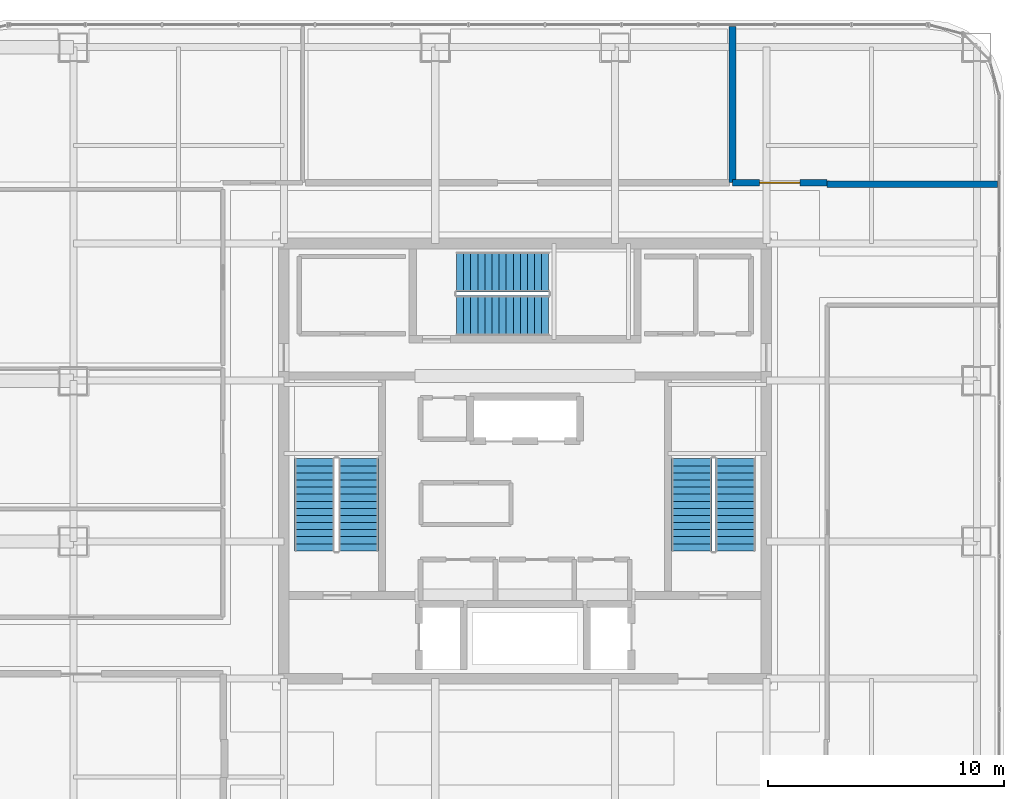
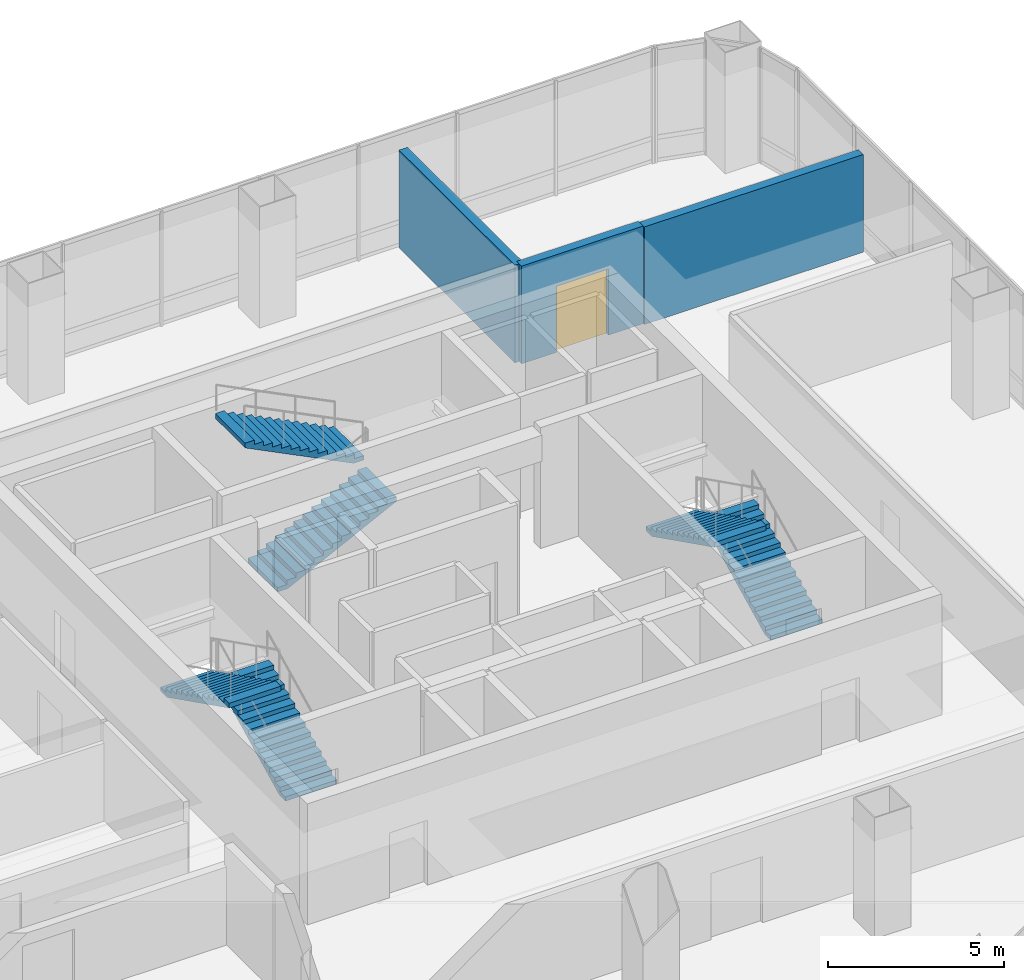
# One storey, part 37 of 42: 6 stair flights, 3 walls, 1 door, 1 opening, 3 elements without a shape of their own.
"""IFC4 building model written with IfcOpenShell, lengths in metres."""

from ifc_helpers import new_model, si_unit, direction, frame, frame_2d, origin, place, context, subcontext, project, spatial, polyline, rectangle, outline, extrude, material, layer, layer_set, type_object, element, fill, aggregate, save


model = new_model("IFC4")

# Units and contexts
model_context = context("Model", 3, precision=1e-05, world=origin(), true_north=direction((0.0, 1.0)))
body_context = subcontext(model_context, "Body", "Model", "MODEL_VIEW")
ifc_project = project(units=[si_unit("LENGTHUNIT", "METRE"), si_unit("AREAUNIT", "SQUARE_METRE"), si_unit("VOLUMEUNIT", "CUBIC_METRE"), si_unit("PLANEANGLEUNIT", "RADIAN"), si_unit("MASSUNIT", "GRAM", prefix="KILO")], contexts=[model_context])

# Site, building, storey
site_placement = place(None, origin())
site = spatial("IfcSite", under=ifc_project, at=site_placement, CompositionType="ELEMENT")
building_placement = place(site_placement, origin())
building = spatial("IfcBuilding", under=site, at=building_placement, Name="Punatoya Terracotta Tower", CompositionType="ELEMENT")
storey_placement = place(building_placement, frame((0.0, 0.0, 325.800048828125)))
storey = spatial("IfcBuildingStorey", under=building, at=storey_placement, Name="L77", CompositionType="ELEMENT", Elevation=325.800048828125)

# Wall
ifc_material_1 = material(Name="Concrete C40/50", Category="concrete")
ifc_layer = layer(ifc_material_1, 0.280029296875)
ifc_layer_set = layer_set([ifc_layer], Name="Concrete C40/50")
wall_type = type_object("IfcWallType", Name="WL-AUD-280", PredefinedType="SOLIDWALL", material=ifc_layer_set)
wall_1_placement = place(storey_placement, frame((19.969970703125, 11.7099609375, 0.0), z_axis=(0.0, 0.0, 1.0), x_axis=(-1.0, 0.0, 0.0)))
element("IfcWall", 1, at=wall_1_placement, inside=storey, type_object=wall_type, Name="L77 Open-Plan Waterfront Club Lounge Partition 44", PredefinedType="SOLIDWALL", context=body_context, shape_type="SweptSolid", body=[
    extrude(rectangle(XDim=7.199951171875, YDim=0.280029296875, at=frame_2d((3.60009765625, 0.0))), origin(), (0.0, 0.0, 1.0), 3.39404296875),
])

# Wall, opening, door
wall_2_placement = place(storey_placement, frame((12.77001953125, 11.77001953125, 0.0), z_axis=(0.0, 0.0, 1.0), x_axis=(-1.0, 0.0, 0.0)))
wall_2 = element("IfcWall", 2, at=wall_2_placement, inside=storey, type_object=wall_type, Name="L77 Open-Plan Waterfront Club Lounge Partition 45", PredefinedType="SOLIDWALL", context=body_context, shape_type="SweptSolid", body=[
    extrude(rectangle(XDim=3.998046875, YDim=0.280029296875, at=frame_2d((1.9990234375, 0.0))), origin(), (0.0, 0.0, 1.0), 3.39404296875),
])
opening_placement = place(wall_2_placement, frame((1.14892578125, 0.0, 0.0)))
opening = element("IfcOpeningElement", 3, at=opening_placement, cuts=wall_2, Name="Opening FD-D1", PredefinedType="OPENING", context=body_context, shape_type="SweptSolid", body=[
    extrude(rectangle(XDim=1.699951171875, YDim=2.300048828125, at=frame_2d((0.85009765625, 1.14990234375))), frame((0.0, 0.14990234375, 0.0), z_axis=(0.0, -1.0, 0.0), x_axis=(1.0, 0.0, 0.0)), (0.0, 0.0, 1.0), 0.300048828125),
])
ifc_material_2 = material(Name="Timber Teak Veneer Fire Leaf", Category="wood")
door_type = type_object("IfcDoorType", Name="DR-DIN-1700", OperationType="NOTDEFINED", PredefinedType="DOOR", material=ifc_material_2)
door_placement = place(opening_placement, origin())
door = element("IfcDoor", 4, at=door_placement, inside=storey, type_object=door_type, Name="L77 Open-Plan Waterfront Club Lounge Fire Door", OperationType="DOUBLE_DOOR_SINGLE_SWING", OverallHeight=2.300048828125, OverallWidth=1.699951171875, PredefinedType="DOOR", context=body_context, shape_type="SweptSolid", body=[
    extrude(rectangle(XDim=1.699951171875, YDim=2.300048828125, at=frame_2d((0.85009765625, 1.14990234375))), frame((0.0, 0.02490234375, 0.0), z_axis=(0.0, -1.0, 0.0), x_axis=(1.0, 0.0, 0.0)), (0.0, 0.0, 1.0), 0.050048828125),
])
fill(opening, door)

# Wall
wall_3_placement = place(storey_placement, frame((8.77197265625, 11.77001953125, 0.0), z_axis=(0.0, 0.0, 1.0), x_axis=(0.0, 1.0, 0.0)))
element("IfcWall", 5, at=wall_3_placement, inside=storey, type_object=wall_type, Name="L77 Open-Plan Waterfront Club Lounge Partition 46", PredefinedType="SOLIDWALL", context=body_context, shape_type="SweptSolid", body=[
    extrude(rectangle(XDim=6.60009765625, YDim=0.280029296875, at=frame_2d((3.300048828125, 0.0))), origin(), (0.0, 0.0, 1.0), 3.39404296875),
])

# Stair, stair flights
stair_type_1 = type_object("IfcStairType", Name="STR-CORE-1550", PredefinedType="HALF_TURN_STAIR", material=ifc_material_1)
stair_1_placement = place(storey_placement, origin())
stair_1 = element("IfcStair", 6, at=stair_1_placement, inside=storey, type_object=stair_type_1, Name="L77 Protected Core Exit Stair ST-1", PredefinedType="HALF_TURN_STAIR")
stair_flight_type_1 = type_object("IfcStairFlightType", Name="SFL-CORE-1550", PredefinedType="STRAIGHT", material=ifc_material_1)
stair_flight_1_placement = place(storey_placement, frame((-7.050048828125, -3.800048828125, 0.0), z_axis=(0.0, 0.0, 1.0), x_axis=(0.0, 1.0, 0.0)))
stair_flight_1 = element("IfcStairFlight", 7, at=stair_flight_1_placement, type_object=stair_flight_type_1, Name="ST-1 flight 1", NumberOfRisers=14, NumberOfTreads=13, PredefinedType="STRAIGHT", RiserHeight=0.15, TreadLength=0.3, context=body_context, shape_type="SweptSolid", body=[
    extrude(outline(polyline([(0.0, 0.0), (0.0, 0.14990234375), (0.300048828125, 0.14990234375), (0.300048828125, 0.300048828125), (0.60009765625, 0.300048828125), (0.60009765625, 0.449951171875), (0.89990234375, 0.449951171875), (0.89990234375, 0.60009765625), (1.199951171875, 0.60009765625), (1.199951171875, 0.75), (1.5, 0.75), (1.5, 0.89990234375), (1.800048828125, 0.89990234375), (1.800048828125, 1.050048828125), (2.10009765625, 1.050048828125), (2.10009765625, 1.199951171875), (2.39990234375, 1.199951171875), (2.39990234375, 1.35009765625), (2.699951171875, 1.35009765625), (2.699951171875, 1.5), (3.0, 1.5), (3.0, 1.64990234375), (3.300048828125, 1.64990234375), (3.300048828125, 1.800048828125), (3.60009765625, 1.800048828125), (3.60009765625, 1.949951171875), (3.89990234375, 1.949951171875), (3.89990234375, 2.10009765625), (3.89990234375, 1.782470703125), (0.335205078125, 0.0), (0.0, 0.0)])), frame((0.0, 0.85009765625, 0.0), z_axis=(0.0, -1.0, 0.0), x_axis=(1.0, 0.0, 0.0)), (0.0, 0.0, 1.0), 1.699951171875),
])
stair_flight_2_placement = place(storey_placement, frame((-8.89990234375, 0.10009765625, 2.099853515625), z_axis=(0.0, 0.0, 1.0), x_axis=(0.0, -1.0, 0.0)))
stair_flight_2 = element("IfcStairFlight", 8, at=stair_flight_2_placement, type_object=stair_flight_type_1, Name="ST-1 flight 2", NumberOfRisers=14, NumberOfTreads=13, PredefinedType="STRAIGHT", RiserHeight=0.15, TreadLength=0.3, context=body_context, shape_type="SweptSolid", body=[
    extrude(outline(polyline([(0.0, 0.0), (0.0, 0.14990234375), (0.300048828125, 0.14990234375), (0.300048828125, 0.300048828125), (0.60009765625, 0.300048828125), (0.60009765625, 0.449951171875), (0.89990234375, 0.449951171875), (0.89990234375, 0.60009765625), (1.199951171875, 0.60009765625), (1.199951171875, 0.75), (1.5, 0.75), (1.5, 0.89990234375), (1.800048828125, 0.89990234375), (1.800048828125, 1.050048828125), (2.10009765625, 1.050048828125), (2.10009765625, 1.199951171875), (2.39990234375, 1.199951171875), (2.39990234375, 1.35009765625), (2.699951171875, 1.35009765625), (2.699951171875, 1.5), (3.0, 1.5), (3.0, 1.64990234375), (3.300048828125, 1.64990234375), (3.300048828125, 1.800048828125), (3.60009765625, 1.800048828125), (3.60009765625, 1.949951171875), (3.89990234375, 1.949951171875), (3.89990234375, 2.10009765625), (3.89990234375, 1.782470703125), (0.335205078125, 0.0), (0.0, 0.0)])), frame((0.0, 0.85009765625, 0.0), z_axis=(0.0, -1.0, 0.0), x_axis=(1.0, 0.0, 0.0)), (0.0, 0.0, 1.0), 1.699951171875),
])
aggregate(stair_1, [stair_flight_1, stair_flight_2])

stair_type_2 = type_object("IfcStairType", Name="STR-LOB-1650", PredefinedType="HALF_TURN_STAIR", material=ifc_material_1)
stair_2_placement = place(storey_placement, origin())
stair_2 = element("IfcStair", 9, at=stair_2_placement, inside=storey, type_object=stair_type_2, Name="L77 Protected Core Exit Stair ST-2", PredefinedType="HALF_TURN_STAIR")
stair_flight_type_2 = type_object("IfcStairFlightType", Name="SFL-LOB-1650", PredefinedType="STRAIGHT", material=ifc_material_1)
stair_flight_3_placement = place(storey_placement, frame((8.89990234375, -3.800048828125, 0.0), z_axis=(0.0, 0.0, 1.0), x_axis=(0.0, 1.0, 0.0)))
stair_flight_3 = element("IfcStairFlight", 10, at=stair_flight_3_placement, type_object=stair_flight_type_2, Name="ST-2 flight 1", NumberOfRisers=14, NumberOfTreads=13, PredefinedType="STRAIGHT", RiserHeight=0.15, TreadLength=0.3, context=body_context, shape_type="SweptSolid", body=[
    extrude(outline(polyline([(0.0, 0.0), (0.0, 0.14990234375), (0.300048828125, 0.14990234375), (0.300048828125, 0.300048828125), (0.60009765625, 0.300048828125), (0.60009765625, 0.449951171875), (0.89990234375, 0.449951171875), (0.89990234375, 0.60009765625), (1.199951171875, 0.60009765625), (1.199951171875, 0.75), (1.5, 0.75), (1.5, 0.89990234375), (1.800048828125, 0.89990234375), (1.800048828125, 1.050048828125), (2.10009765625, 1.050048828125), (2.10009765625, 1.199951171875), (2.39990234375, 1.199951171875), (2.39990234375, 1.35009765625), (2.699951171875, 1.35009765625), (2.699951171875, 1.5), (3.0, 1.5), (3.0, 1.64990234375), (3.300048828125, 1.64990234375), (3.300048828125, 1.800048828125), (3.60009765625, 1.800048828125), (3.60009765625, 1.949951171875), (3.89990234375, 1.949951171875), (3.89990234375, 2.10009765625), (3.89990234375, 1.782470703125), (0.335205078125, 0.0), (0.0, 0.0)])), frame((0.0, 0.85009765625, 0.0), z_axis=(0.0, -1.0, 0.0), x_axis=(1.0, 0.0, 0.0)), (0.0, 0.0, 1.0), 1.699951171875),
])
stair_flight_4_placement = place(storey_placement, frame((7.050048828125, 0.10009765625, 2.099853515625), z_axis=(0.0, 0.0, 1.0), x_axis=(0.0, -1.0, 0.0)))
stair_flight_4 = element("IfcStairFlight", 11, at=stair_flight_4_placement, type_object=stair_flight_type_2, Name="ST-2 flight 2", NumberOfRisers=14, NumberOfTreads=13, PredefinedType="STRAIGHT", RiserHeight=0.15, TreadLength=0.3, context=body_context, shape_type="SweptSolid", body=[
    extrude(outline(polyline([(0.0, 0.0), (0.0, 0.14990234375), (0.300048828125, 0.14990234375), (0.300048828125, 0.300048828125), (0.60009765625, 0.300048828125), (0.60009765625, 0.449951171875), (0.89990234375, 0.449951171875), (0.89990234375, 0.60009765625), (1.199951171875, 0.60009765625), (1.199951171875, 0.75), (1.5, 0.75), (1.5, 0.89990234375), (1.800048828125, 0.89990234375), (1.800048828125, 1.050048828125), (2.10009765625, 1.050048828125), (2.10009765625, 1.199951171875), (2.39990234375, 1.199951171875), (2.39990234375, 1.35009765625), (2.699951171875, 1.35009765625), (2.699951171875, 1.5), (3.0, 1.5), (3.0, 1.64990234375), (3.300048828125, 1.64990234375), (3.300048828125, 1.800048828125), (3.60009765625, 1.800048828125), (3.60009765625, 1.949951171875), (3.89990234375, 1.949951171875), (3.89990234375, 2.10009765625), (3.89990234375, 1.782470703125), (0.335205078125, 0.0), (0.0, 0.0)])), frame((0.0, 0.85009765625, 0.0), z_axis=(0.0, -1.0, 0.0), x_axis=(1.0, 0.0, 0.0)), (0.0, 0.0, 1.0), 1.699951171875),
])
aggregate(stair_2, [stair_flight_3, stair_flight_4])

stair_type_3 = type_object("IfcStairType", Name="STR-TER-1450", PredefinedType="HALF_TURN_STAIR", material=ifc_material_1)
stair_3_placement = place(storey_placement, origin())
stair_3 = element("IfcStair", 12, at=stair_3_placement, inside=storey, type_object=stair_type_3, Name="L77 Protected Core Exit Stair ST-3", PredefinedType="HALF_TURN_STAIR")
stair_flight_type_3 = type_object("IfcStairFlightType", Name="SFL-TER-1450", PredefinedType="STRAIGHT", material=ifc_material_1)
stair_flight_5_placement = place(storey_placement, frame((-2.89990234375, 6.14990234375, 0.0), z_axis=(0.0, 0.0, 1.0), x_axis=(1.0, 0.0, 0.0)))
stair_flight_5 = element("IfcStairFlight", 13, at=stair_flight_5_placement, type_object=stair_flight_type_3, Name="ST-3 flight 1", NumberOfRisers=14, NumberOfTreads=13, PredefinedType="STRAIGHT", RiserHeight=0.15, TreadLength=0.3, context=body_context, shape_type="SweptSolid", body=[
    extrude(outline(polyline([(0.0, 0.0), (0.0, 0.14990234375), (0.300048828125, 0.14990234375), (0.300048828125, 0.300048828125), (0.60009765625, 0.300048828125), (0.60009765625, 0.449951171875), (0.89990234375, 0.449951171875), (0.89990234375, 0.60009765625), (1.199951171875, 0.60009765625), (1.199951171875, 0.75), (1.5, 0.75), (1.5, 0.89990234375), (1.800048828125, 0.89990234375), (1.800048828125, 1.050048828125), (2.10009765625, 1.050048828125), (2.10009765625, 1.199951171875), (2.39990234375, 1.199951171875), (2.39990234375, 1.35009765625), (2.699951171875, 1.35009765625), (2.699951171875, 1.5), (3.0, 1.5), (3.0, 1.64990234375), (3.300048828125, 1.64990234375), (3.300048828125, 1.800048828125), (3.60009765625, 1.800048828125), (3.60009765625, 1.949951171875), (3.89990234375, 1.949951171875), (3.89990234375, 2.10009765625), (3.89990234375, 1.782470703125), (0.335205078125, 0.0), (0.0, 0.0)])), frame((0.0, 0.85009765625, 0.0), z_axis=(0.0, -1.0, 0.0), x_axis=(1.0, 0.0, 0.0)), (0.0, 0.0, 1.0), 1.699951171875),
])
stair_flight_6_placement = place(storey_placement, frame((1.0, 8.0, 2.099853515625), z_axis=(0.0, 0.0, 1.0), x_axis=(-1.0, 0.0, 0.0)))
stair_flight_6 = element("IfcStairFlight", 14, at=stair_flight_6_placement, type_object=stair_flight_type_3, Name="ST-3 flight 2", NumberOfRisers=14, NumberOfTreads=13, PredefinedType="STRAIGHT", RiserHeight=0.15, TreadLength=0.3, context=body_context, shape_type="SweptSolid", body=[
    extrude(outline(polyline([(0.0, 0.0), (0.0, 0.14990234375), (0.300048828125, 0.14990234375), (0.300048828125, 0.300048828125), (0.60009765625, 0.300048828125), (0.60009765625, 0.449951171875), (0.89990234375, 0.449951171875), (0.89990234375, 0.60009765625), (1.199951171875, 0.60009765625), (1.199951171875, 0.75), (1.5, 0.75), (1.5, 0.89990234375), (1.800048828125, 0.89990234375), (1.800048828125, 1.050048828125), (2.10009765625, 1.050048828125), (2.10009765625, 1.199951171875), (2.39990234375, 1.199951171875), (2.39990234375, 1.35009765625), (2.699951171875, 1.35009765625), (2.699951171875, 1.5), (3.0, 1.5), (3.0, 1.64990234375), (3.300048828125, 1.64990234375), (3.300048828125, 1.800048828125), (3.60009765625, 1.800048828125), (3.60009765625, 1.949951171875), (3.89990234375, 1.949951171875), (3.89990234375, 2.10009765625), (3.89990234375, 1.782470703125), (0.335205078125, 0.0), (0.0, 0.0)])), frame((0.0, 0.85009765625, 0.0), z_axis=(0.0, -1.0, 0.0), x_axis=(1.0, 0.0, 0.0)), (0.0, 0.0, 1.0), 1.699951171875),
])
aggregate(stair_3, [stair_flight_5, stair_flight_6])

save(model, "model.ifc")
